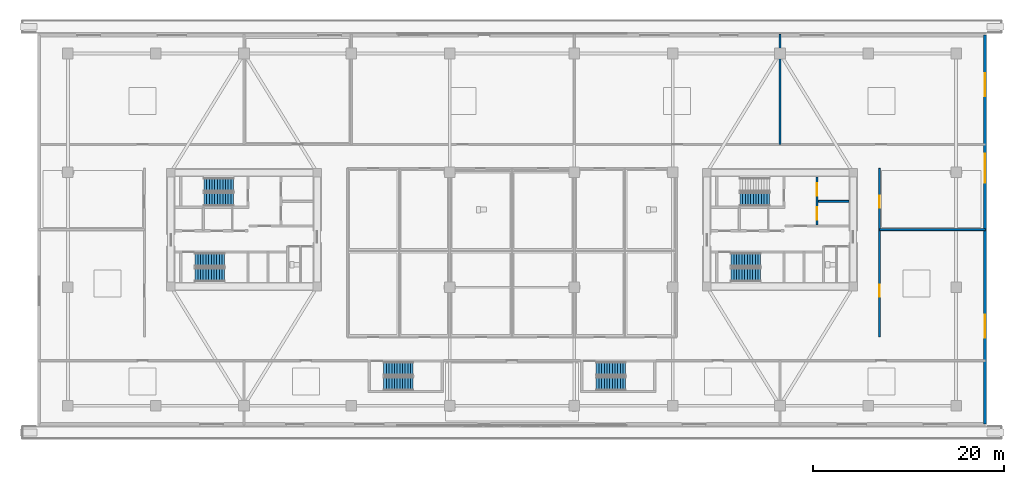
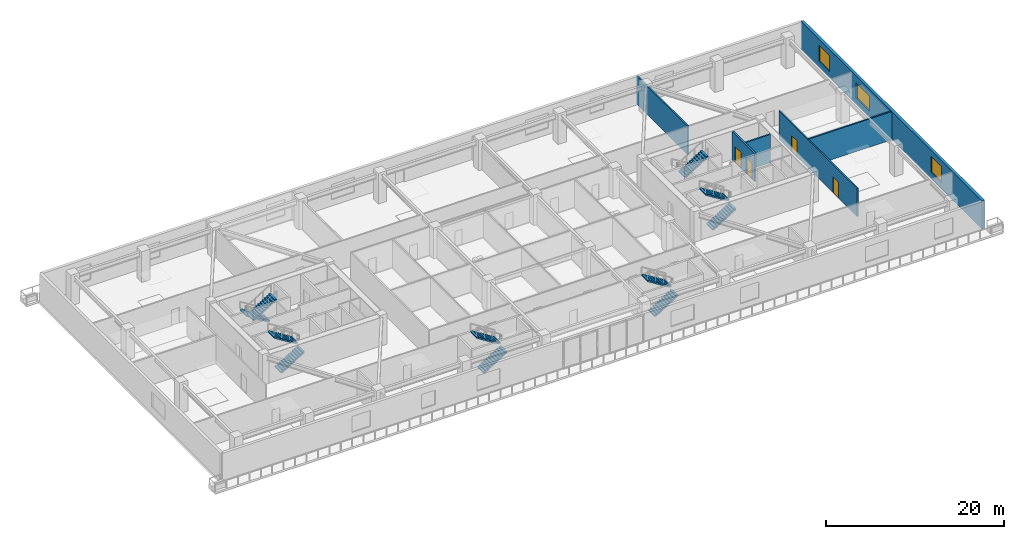
# One storey, part 11 of 22: 11 stair flights, 6 walls, 4 doors, 3 windows, 7 openings, 6 elements without a shape of their own.
"""IFC4 building model written with IfcOpenShell, lengths in metres."""

import ifcopenshell
import ifcopenshell.guid

model = None  # the IFC model being written
_history = None  # IfcOwnerHistory: only IFC2X3 demands one
_inside = {}  # id of a spatial element -> (the spatial element, [elements in it])
_under = {}  # id of a project, library or spatial element -> (it, [spatial elements below it])
_declared = {}  # id of a project -> (the project, [libraries it declares])
_typed = {}  # id of a type object -> (the type object, [elements of that type])
_made_of = {}  # id of a material, layer set ... -> (it, [elements and type objects made of it])


def new_model(schema):
    """Start an empty IFC model of exactly this schema.

    Asked for "IFC4X3", IfcOpenShell would pick the latest addendum, in which some entities
    have other attributes; the version numbers below select the first issue.
    IFC2X3 requires an IfcOwnerHistory on every rooted entity: one is made here for all.
    """
    global model, _history
    if schema == "IFC4X3":
        model = ifcopenshell.file(schema_version=(4, 3, 0, 0))
    else:
        model = ifcopenshell.file(schema=schema)
    _inside.clear()
    _under.clear()
    _declared.clear()
    _typed.clear()
    _made_of.clear()
    _history = None
    if model.schema == "IFC2X3":
        org = make("IfcOrganization", Name="unknown")
        user = make(
            "IfcPersonAndOrganization",
            ThePerson=make("IfcPerson", FamilyName="unknown"),
            TheOrganization=org,
        )
        app = make(
            "IfcApplication",
            ApplicationDeveloper=org,
            Version="unknown",
            ApplicationFullName="unknown",
            ApplicationIdentifier="unknown",
        )
        _history = make(
            "IfcOwnerHistory",
            OwningUser=user,
            OwningApplication=app,
            ChangeAction="ADDED",
            CreationDate=0,
        )
    return model


def make(cls, **values):
    """One entity of the class cls with the attributes given. An attribute that is None is left unset."""
    return model.create_entity(
        cls, **{name: value for name, value in values.items() if value is not None}
    )


def rooted(cls, **values):
    """An entity with a GlobalId (a new one), such as an element, a storey or a relation."""
    return make(cls, GlobalId=ifcopenshell.guid.new(), OwnerHistory=_history, **values)


def si_unit(unit_type, name, prefix=None):
    """IfcSIUnit, for example si_unit("LENGTHUNIT", "METRE", prefix="MILLI")."""
    return make("IfcSIUnit", UnitType=unit_type, Prefix=prefix, Name=name)


def assignment(units):
    """IfcUnitAssignment: the units of a project."""
    return None if units is None else make("IfcUnitAssignment", Units=units)


def point(xyz):
    """IfcCartesianPoint."""
    return None if xyz is None else make("IfcCartesianPoint", Coordinates=xyz)


def direction(xyz):
    """IfcDirection."""
    return None if xyz is None else make("IfcDirection", DirectionRatios=xyz)


def frame(location, z_axis=None, x_axis=None):
    """IfcAxis2Placement3D, a coordinate frame: its origin and axes. An axis left out is left unset."""
    return make(
        "IfcAxis2Placement3D",
        Location=point(location),
        Axis=direction(z_axis),
        RefDirection=direction(x_axis),
    )


def frame_2d(location, x_axis=None):
    """IfcAxis2Placement2D, a coordinate frame in the plane: its origin and x axis."""
    return make(
        "IfcAxis2Placement2D", Location=point(location), RefDirection=direction(x_axis)
    )


def origin():
    """The frame at (0, 0, 0) with its axes left unset."""
    return frame((0.0, 0.0, 0.0))


def place(relative_to, where):
    """IfcLocalPlacement: puts the frame where relative to a parent placement (None: the world)."""
    return make(
        "IfcLocalPlacement", PlacementRelTo=relative_to, RelativePlacement=where
    )


def context(
    kind, dimensions, precision=None, world=None, true_north=None, identifier=None
):
    """IfcGeometricRepresentationContext, for example the 3D "Model" context."""
    return make(
        "IfcGeometricRepresentationContext",
        ContextIdentifier=identifier,
        ContextType=kind,
        CoordinateSpaceDimension=dimensions,
        Precision=precision,
        WorldCoordinateSystem=world,
        TrueNorth=true_north,
    )


def subcontext(parent, identifier, kind, view, scale=None):
    """IfcGeometricRepresentationSubContext, for example "Body" below "Model"."""
    return make(
        "IfcGeometricRepresentationSubContext",
        ContextIdentifier=identifier,
        ContextType=kind,
        ParentContext=parent,
        TargetScale=scale,
        TargetView=view,
    )


def project(units=None, contexts=None):
    """IfcProject with its units and contexts."""
    return rooted(
        "IfcProject",
        Name="project",
        RepresentationContexts=contexts,
        UnitsInContext=assignment(units),
    )


def spatial(cls, under=None, at=None, **own):
    """A site, building, storey or space (cls), placed at a placement, below another one or the project."""
    s = rooted(cls, ObjectPlacement=at, **own)
    if under is not None:
        _under.setdefault(under.id(), (under, []))[1].append(s)
    return s


def polyline(points):
    """IfcPolyline through the points."""
    return make("IfcPolyline", Points=[point(p) for p in points])


def profile(cls, at=None, kind="AREA", **sizes):
    """A parametric profile (cls). Its sizes go by their IFC names, for example OverallWidth=200.0."""
    return make(cls, ProfileType=kind, Position=at, **sizes)


def rectangle(**sizes):
    """IfcRectangleProfileDef."""
    return profile("IfcRectangleProfileDef", **sizes)


def outline(outer, holes=None, kind="AREA"):
    """IfcArbitraryClosedProfileDef: a profile drawn as a closed curve; with holes, ...WithVoids."""
    if holes is None:
        return make("IfcArbitraryClosedProfileDef", ProfileType=kind, OuterCurve=outer)
    return make(
        "IfcArbitraryProfileDefWithVoids",
        ProfileType=kind,
        OuterCurve=outer,
        InnerCurves=holes,
    )


def extrude(swept, where, along, depth):
    """IfcExtrudedAreaSolid: the profile swept, set in the frame where, extruded along a direction by depth."""
    return make(
        "IfcExtrudedAreaSolid",
        SweptArea=swept,
        Position=where,
        ExtrudedDirection=direction(along),
        Depth=depth,
    )


def shape(context_of_items, identifier, shape_type, items):
    """IfcShapeRepresentation: the items that make up one representation, for example the "Body"."""
    return make(
        "IfcShapeRepresentation",
        ContextOfItems=context_of_items,
        RepresentationIdentifier=identifier,
        RepresentationType=shape_type,
        Items=items,
    )


def source(mapping_origin, context_of_items, identifier, shape_type, items):
    """IfcRepresentationMap: a shape defined once, which mapped items show again and again."""
    return make(
        "IfcRepresentationMap",
        MappingOrigin=mapping_origin,
        MappedRepresentation=shape(context_of_items, identifier, shape_type, items),
    )


def transform(
    local_origin,
    x_axis=None,
    y_axis=None,
    z_axis=None,
    scale=None,
    scale2=None,
    scale3=None,
    uniform=True,
):
    """IfcCartesianTransformationOperator3D, or its non-uniform kind. x_axis, y_axis, z_axis: its Axis1, 2, 3."""
    if uniform:
        return make(
            "IfcCartesianTransformationOperator3D",
            Axis1=direction(x_axis),
            Axis2=direction(y_axis),
            LocalOrigin=point(local_origin),
            Scale=scale,
            Axis3=direction(z_axis),
        )
    return make(
        "IfcCartesianTransformationOperator3DnonUniform",
        Axis1=direction(x_axis),
        Axis2=direction(y_axis),
        LocalOrigin=point(local_origin),
        Scale=scale,
        Axis3=direction(z_axis),
        Scale2=scale2,
        Scale3=scale3,
    )


def mapped(mapping_source, mapping_target):
    """IfcMappedItem: shows the shape of a source again, moved by a transform."""
    return make(
        "IfcMappedItem", MappingSource=mapping_source, MappingTarget=mapping_target
    )


def material(Name=None, Category=None):
    """IfcMaterial."""
    return make("IfcMaterial", Name=Name, Category=Category)


def layer(
    of_material, thickness, ventilated=None, Name=None, Category=None, Priority=None
):
    """IfcMaterialLayer: one layer of a wall or slab, of a material (None: an air gap)."""
    return make(
        "IfcMaterialLayer",
        Material=of_material,
        LayerThickness=thickness,
        IsVentilated=ventilated,
        Name=Name,
        Category=Category,
        Priority=Priority,
    )


def layer_set(layers, Name=None):
    """IfcMaterialLayerSet."""
    return make("IfcMaterialLayerSet", MaterialLayers=layers, LayerSetName=Name)


def made_of(thing, what):
    """Note that an element or type object is made of a material, layer set ...; save() writes the relation."""
    if what is not None:
        _made_of.setdefault(what.id(), (what, []))[1].append(thing)
    return thing


def type_object(cls, material=None, **own):
    """A type object (cls), such as IfcWallType, which elements share."""
    return made_of(rooted(cls, **own), material)


def type_shapes(of_type, sources):
    """Give a type object the sources (RepresentationMaps) that its elements show as mapped items."""
    of_type.RepresentationMaps = sources


def element(
    cls,
    number,
    at=None,
    inside=None,
    cuts=None,
    type_object=None,
    material=None,
    context=None,
    identifier="Body",
    shape_type=None,
    held_by="IfcProductDefinitionShape",
    body=None,
    shapes=None,
    **own,
):
    """One element of the class cls, such as IfcWall. Its Tag is "e" and its number.

    at: its placement. inside: the storey or other place that contains it. cuts: it is an
    opening in that element (IfcRelVoidsElement). A single representation is given by context,
    identifier, shape_type and body (its items); several are given by shapes. held_by: the class
    of the entity that holds the representations. save() writes the other relations.
    """
    e = rooted(cls, Tag="e%d" % number, ObjectPlacement=at, **own)
    if body is not None:
        shapes = [shape(context, identifier, shape_type, body)]
    if shapes is not None:
        e.Representation = make(held_by, Representations=shapes)
    if inside is not None:
        _inside.setdefault(inside.id(), (inside, []))[1].append(e)
    if cuts is not None:
        rooted(
            "IfcRelVoidsElement", RelatingBuildingElement=cuts, RelatedOpeningElement=e
        )
    if type_object is not None:
        _typed.setdefault(type_object.id(), (type_object, []))[1].append(e)
    return made_of(e, material)


def fill(opening, filler):
    """IfcRelFillsElement: the door or window that sits in an opening."""
    return rooted(
        "IfcRelFillsElement",
        RelatingOpeningElement=opening,
        RelatedBuildingElement=filler,
    )


def aggregate(whole, parts):
    """IfcRelAggregates: a whole, such as a stair, and the parts it consists of."""
    return rooted("IfcRelAggregates", RelatingObject=whole, RelatedObjects=parts)


def save(model, path):
    """Write the relations noted so far, then the file.

    IfcRelAggregates (storeys below a building ...), IfcRelContainedInSpatialStructure (elements
    in a storey), IfcRelDefinesByType, IfcRelAssociatesMaterial and IfcRelDeclares: one each for
    every whole, place, type object, material and project.
    """
    for whole, parts in _under.values():
        aggregate(whole, parts)
    for where, things in _inside.values():
        rooted(
            "IfcRelContainedInSpatialStructure",
            RelatedElements=things,
            RelatingStructure=where,
        )
    for kind, things in _typed.values():
        rooted("IfcRelDefinesByType", RelatedObjects=things, RelatingType=kind)
    for what, things in _made_of.values():
        rooted("IfcRelAssociatesMaterial", RelatedObjects=things, RelatingMaterial=what)
    for by, libraries in _declared.values():
        rooted("IfcRelDeclares", RelatingContext=by, RelatedDefinitions=libraries)
    model.write(path)


model = new_model("IFC4")

# Units and contexts
model_context = context("Model", 3, precision=1e-05, world=origin(), true_north=direction((0.0, 1.0)))
body_context = subcontext(model_context, "Body", "Model", "MODEL_VIEW")
ifc_project = project(units=[si_unit("LENGTHUNIT", "METRE"), si_unit("AREAUNIT", "SQUARE_METRE"), si_unit("VOLUMEUNIT", "CUBIC_METRE"), si_unit("PLANEANGLEUNIT", "RADIAN"), si_unit("MASSUNIT", "GRAM", prefix="KILO")], contexts=[model_context])

# Site, building, storey
site_placement = place(None, origin())
site = spatial("IfcSite", under=ifc_project, at=site_placement, CompositionType="ELEMENT")
building_placement = place(site_placement, origin())
building = spatial("IfcBuilding", under=site, at=building_placement, Name="Norrkilde Senior Care Towers", CompositionType="ELEMENT")
storey_placement = place(building_placement, frame((0.0, 0.0, 12.60009765625)))
storey = spatial("IfcBuildingStorey", under=building, at=storey_placement, Name="L03", CompositionType="ELEMENT", Elevation=12.60009765625)

# Wall, openings, windows
ifc_material_1 = material(Name="Precast concrete C45/55", Category="concrete")
ifc_layer_1 = layer(ifc_material_1, 0.360107421875)
ifc_layer_set_1 = layer_set([ifc_layer_1], Name="Precast concrete C45/55")
wall_type_1 = type_object("IfcWallType", Name="Podium Facade Wall 360", PredefinedType="SOLIDWALL", material=ifc_layer_set_1)
shared_shape_1 = source(origin(), body_context, "Body", "SweptSolid", [
    extrude(rectangle(XDim=40.64013671875, YDim=0.360107421875, at=frame_2d((20.320068359375, 0.0))), origin(), (0.0, 0.0, 1.0), 3.8798828125),
])
type_shapes(wall_type_1, [shared_shape_1])
wall_1_placement = place(storey_placement, frame((49.419921875, 20.320068359375, 0.0), z_axis=(0.0, 0.0, 1.0), x_axis=(0.0, -1.0, 0.0)))
wall_1 = element("IfcWall", 1, at=wall_1_placement, inside=storey, type_object=wall_type_1, Name="L03 Podium E Facade Wall", PredefinedType="SOLIDWALL", context=body_context, shape_type="MappedRepresentation", body=[
    mapped(shared_shape_1, transform((0.0, 0.0, 0.0), x_axis=(1.0, 0.0, 0.0), y_axis=(0.0, 1.0, 0.0), z_axis=(0.0, 0.0, 1.0), scale=1.0)),
])
opening_1_placement = place(wall_1_placement, frame((4.0, 0.0, 0.85009765625)))
opening_1 = element("IfcOpeningElement", 2, at=opening_1_placement, cuts=wall_1, Name="Opening WN-01", PredefinedType="OPENING", context=body_context, shape_type="SweptSolid", body=[
    extrude(rectangle(XDim=2.39990234375, YDim=2.199951171875, at=frame_2d((1.199951171875, 1.10009765625))), frame((0.0, 0.18994140625, 0.0), z_axis=(0.0, -1.0, 0.0), x_axis=(1.0, 0.0, 0.0)), (0.0, 0.0, 1.0), 0.380126953125),
])
opening_2_placement = place(wall_1_placement, frame((12.39990234375, 0.0, 0.85009765625)))
opening_2 = element("IfcOpeningElement", 3, at=opening_2_placement, cuts=wall_1, Name="Opening WN-02", PredefinedType="OPENING", context=body_context, shape_type="SweptSolid", body=[
    extrude(rectangle(XDim=3.0, YDim=2.10009765625, at=frame_2d((1.5, 1.050048828125))), frame((0.0, 0.18994140625, 0.0), z_axis=(0.0, -1.0, 0.0), x_axis=(1.0, 0.0, 0.0)), (0.0, 0.0, 1.0), 0.380126953125),
])
opening_3_placement = place(wall_1_placement, frame((29.199951171875, 0.0, 0.85009765625)))
opening_3 = element("IfcOpeningElement", 4, at=opening_3_placement, cuts=wall_1, Name="Opening WN-01", PredefinedType="OPENING", context=body_context, shape_type="SweptSolid", body=[
    extrude(rectangle(XDim=2.39990234375, YDim=2.199951171875, at=frame_2d((1.199951171875, 1.10009765625))), frame((0.0, 0.18994140625, 0.0), z_axis=(0.0, -1.0, 0.0), x_axis=(1.0, 0.0, 0.0)), (0.0, 0.0, 1.0), 0.380126953125),
])
ifc_material_2 = material(Name="Triple Low-E Insulated Glazing", Category="glass")
window_type_1 = type_object("IfcWindowType", Name="Podium Clinic Triple Window 2400x2200", PartitioningType="SINGLE_PANEL", PredefinedType="WINDOW", material=ifc_material_2)
shared_shape_2 = source(origin(), body_context, "Body", "SweptSolid", [
    extrude(rectangle(XDim=2.39990234375, YDim=2.199951171875, at=frame_2d((1.199951171875, 1.10009765625))), frame((0.0, 0.030029296875, 0.0), z_axis=(0.0, -1.0, 0.0), x_axis=(1.0, 0.0, 0.0)), (0.0, 0.0, 1.0), 0.06005859375),
])
type_shapes(window_type_1, [shared_shape_2])
window_1_placement = place(opening_1_placement, origin())
window_1 = element("IfcWindow", 5, at=window_1_placement, inside=storey, type_object=window_type_1, Name="L03 E Window 01", OverallHeight=2.199951171875, OverallWidth=2.39990234375, PartitioningType="SINGLE_PANEL", PredefinedType="WINDOW", context=body_context, shape_type="MappedRepresentation", body=[
    mapped(shared_shape_2, transform((0.0, 0.0, 0.0), x_axis=(1.0, 0.0, 0.0), y_axis=(0.0, 1.0, 0.0), z_axis=(0.0, 0.0, 1.0), scale=1.0)),
])
fill(opening_1, window_1)
window_2_placement = place(opening_3_placement, origin())
window_2 = element("IfcWindow", 6, at=window_2_placement, inside=storey, type_object=window_type_1, Name="L03 E Window 04", OverallHeight=2.199951171875, OverallWidth=2.39990234375, PartitioningType="SINGLE_PANEL", PredefinedType="WINDOW", context=body_context, shape_type="MappedRepresentation", body=[
    mapped(shared_shape_2, transform((0.0, 0.0, 0.0), x_axis=(1.0, 0.0, 0.0), y_axis=(0.0, 1.0, 0.0), z_axis=(0.0, 0.0, 1.0), scale=1.0)),
])
fill(opening_3, window_2)
window_type_2 = type_object("IfcWindowType", Name="Podium Rehab Ribbon Window 3000x2100", PartitioningType="SINGLE_PANEL", PredefinedType="WINDOW", material=ifc_material_2)
shared_shape_3 = source(origin(), body_context, "Body", "SweptSolid", [
    extrude(rectangle(XDim=3.0, YDim=2.10009765625, at=frame_2d((1.5, 1.050048828125))), frame((0.0, 0.030029296875, 0.0), z_axis=(0.0, -1.0, 0.0), x_axis=(1.0, 0.0, 0.0)), (0.0, 0.0, 1.0), 0.06005859375),
])
type_shapes(window_type_2, [shared_shape_3])
window_3_placement = place(opening_2_placement, origin())
window_3 = element("IfcWindow", 7, at=window_3_placement, inside=storey, type_object=window_type_2, Name="L03 E Window 02", OverallHeight=2.10009765625, OverallWidth=3.0, PartitioningType="SINGLE_PANEL", PredefinedType="WINDOW", context=body_context, shape_type="MappedRepresentation", body=[
    mapped(shared_shape_3, transform((0.0, 0.0, 0.0), x_axis=(1.0, 0.0, 0.0), y_axis=(0.0, 1.0, 0.0), z_axis=(0.0, 0.0, 1.0), scale=1.0)),
])
fill(opening_2, window_3)

# Wall, openings, doors
ifc_material_3 = material(Name="Concrete C45/55", Category="concrete")
ifc_layer_2 = layer(ifc_material_3, 0.239990234375)
ifc_layer_set_2 = layer_set([ifc_layer_2], Name="Concrete C45/55")
wall_type_2 = type_object("IfcWallType", Name="Lift and Plant Rated Enclosure Partition 240", PredefinedType="PARTITIONING", material=ifc_layer_set_2)
shared_shape_4 = source(origin(), body_context, "Body", "SweptSolid", [
    extrude(rectangle(XDim=5.0, YDim=0.239990234375, at=frame_2d((2.5, 0.0))), origin(), (0.0, 0.0, 1.0), 3.864990234375),
])
type_shapes(wall_type_2, [shared_shape_4])
wall_2_placement = place(storey_placement, frame((31.860107421875, 0.5, 0.0), z_axis=(0.0, 0.0, 1.0), x_axis=(0.0, 1.0, 0.0)))
wall_2 = element("IfcWall", 8, at=wall_2_placement, inside=storey, type_object=wall_type_2, Name="WL-INT-L03-E-FFLE", PredefinedType="PARTITIONING", context=body_context, shape_type="MappedRepresentation", body=[
    mapped(shared_shape_4, transform((0.0, 0.0, 0.0), x_axis=(1.0, 0.0, 0.0), y_axis=(0.0, 1.0, 0.0), z_axis=(0.0, 0.0, 1.0), scale=1.0)),
])
opening_4_placement = place(wall_2_placement, frame((3.050048828125, 0.0, 0.0)))
opening_4 = element("IfcOpeningElement", 9, at=opening_4_placement, cuts=wall_2, Name="Opening LD-02", PredefinedType="OPENING", context=body_context, shape_type="SweptSolid", body=[
    extrude(rectangle(XDim=1.300048828125, YDim=2.199951171875, at=frame_2d((0.64990234375, 1.10009765625))), frame((0.0, 0.1298828125, 0.0), z_axis=(0.0, -1.0, 0.0), x_axis=(1.0, 0.0, 0.0)), (0.0, 0.0, 1.0), 0.260009765625),
])
opening_5_placement = place(wall_2_placement, frame((0.550048828125, 0.0, 0.0)))
opening_5 = element("IfcOpeningElement", 10, at=opening_5_placement, cuts=wall_2, Name="Opening LD-02", PredefinedType="OPENING", context=body_context, shape_type="SweptSolid", body=[
    extrude(rectangle(XDim=1.300048828125, YDim=2.199951171875, at=frame_2d((0.64990234375, 1.10009765625))), frame((0.0, 0.1298828125, 0.0), z_axis=(0.0, -1.0, 0.0), x_axis=(1.0, 0.0, 0.0)), (0.0, 0.0, 1.0), 0.260009765625),
])
ifc_material_4 = material(Name="Stainless Steel", Category="steel")
door_type_1 = type_object("IfcDoorType", Name="Stretcher and FFL Landing Sliding Door 1300x2200", OperationType="NOTDEFINED", PredefinedType="DOOR", material=ifc_material_4)
shared_shape_5 = source(origin(), body_context, "Body", "SweptSolid", [
    extrude(rectangle(XDim=1.300048828125, YDim=2.199951171875, at=frame_2d((0.64990234375, 1.10009765625))), frame((0.0, 0.02490234375, 0.0), z_axis=(0.0, -1.0, 0.0), x_axis=(1.0, 0.0, 0.0)), (0.0, 0.0, 1.0), 0.050048828125),
])
type_shapes(door_type_1, [shared_shape_5])
door_1_placement = place(opening_4_placement, origin())
door_1 = element("IfcDoor", 11, at=door_1_placement, inside=storey, type_object=door_type_1, Name="L03 Firefighting Lift E1 Landing Door", OperationType="SLIDING_TO_LEFT", OverallHeight=2.199951171875, OverallWidth=1.300048828125, PredefinedType="DOOR", context=body_context, shape_type="MappedRepresentation", body=[
    mapped(shared_shape_5, transform((0.0, 0.0, 0.0), x_axis=(1.0, 0.0, 0.0), y_axis=(0.0, 1.0, 0.0), z_axis=(0.0, 0.0, 1.0), scale=1.0)),
])
fill(opening_4, door_1)
door_2_placement = place(opening_5_placement, origin())
door_2 = element("IfcDoor", 12, at=door_2_placement, inside=storey, type_object=door_type_1, Name="L03 Stretcher Lift E1 Landing Door", OperationType="SLIDING_TO_RIGHT", OverallHeight=2.199951171875, OverallWidth=1.300048828125, PredefinedType="DOOR", context=body_context, shape_type="MappedRepresentation", body=[
    mapped(shared_shape_5, transform((0.0, 0.0, 0.0), x_axis=(1.0, 0.0, 0.0), y_axis=(0.0, 1.0, 0.0), z_axis=(0.0, 0.0, 1.0), scale=1.0)),
])
fill(opening_5, door_2)

# Wall
ifc_layer_3 = layer(ifc_material_3, 0.199951171875)
ifc_layer_set_3 = layer_set([ifc_layer_3], Name="Concrete C45/55")
wall_type_3 = type_object("IfcWallType", Name="Shaft Division and Plant Partition 200", PredefinedType="PARTITIONING", material=ifc_layer_set_3)
shared_shape_6 = source(origin(), body_context, "Body", "SweptSolid", [
    extrude(rectangle(XDim=3.199951171875, YDim=0.199951171875, at=frame_2d((1.60009765625, 0.0))), origin(), (0.0, 0.0, 1.0), 3.864990234375),
])
type_shapes(wall_type_3, [shared_shape_6])
wall_3_placement = place(storey_placement, frame((32.0, 2.949951171875, 0.0), z_axis=(0.0, 0.0, 1.0), x_axis=(1.0, 0.0, 0.0)))
element("IfcWall", 13, at=wall_3_placement, inside=storey, type_object=wall_type_3, Name="WL-INT-L03-E-FFLDIV", PredefinedType="PARTITIONING", context=body_context, shape_type="MappedRepresentation", body=[
    mapped(shared_shape_6, transform((0.0, 0.0, 0.0), x_axis=(1.0, 0.0, 0.0), y_axis=(0.0, 1.0, 0.0), z_axis=(0.0, 0.0, 1.0), scale=1.0)),
])

# Wall, openings, doors
ifc_material_5 = material(Name="Gypsum Acoustic Board")
ifc_layer_4 = layer(ifc_material_5, 0.1650390625)
ifc_layer_set_4 = layer_set([ifc_layer_4], Name="Gypsum Acoustic Board")
wall_type_4 = type_object("IfcWallType", Name="Corridor Rated Partition 165", PredefinedType="PARTITIONING", material=ifc_layer_set_4)
shared_shape_7 = source(origin(), body_context, "Body", "SweptSolid", [
    extrude(rectangle(XDim=17.599853515625, YDim=0.1650390625, at=frame_2d((8.7998046875, 0.0))), origin(), (0.0, 0.0, 1.0), 3.864990234375),
])
type_shapes(wall_type_4, [shared_shape_7])
wall_4_placement = place(storey_placement, frame((38.39990234375, -11.199951171875, 0.0), z_axis=(0.0, 0.0, 1.0), x_axis=(0.0, 1.0, 0.0)))
wall_4 = element("IfcWall", 14, at=wall_4_placement, inside=storey, type_object=wall_type_4, Name="WL-INT-L03-POD-OE", PredefinedType="PARTITIONING", context=body_context, shape_type="MappedRepresentation", body=[
    mapped(shared_shape_7, transform((0.0, 0.0, 0.0), x_axis=(1.0, 0.0, 0.0), y_axis=(0.0, 1.0, 0.0), z_axis=(0.0, 0.0, 1.0), scale=1.0)),
])
opening_6_placement = place(wall_4_placement, frame((4.199951171875, 0.0, 0.0)))
opening_6 = element("IfcOpeningElement", 15, at=opening_6_placement, cuts=wall_4, Name="Opening D-05", PredefinedType="OPENING", context=body_context, shape_type="SweptSolid", body=[
    extrude(rectangle(XDim=1.25, YDim=2.199951171875, at=frame_2d((0.625, 1.10009765625))), frame((0.0, 0.092529296875, 0.0), z_axis=(0.0, -1.0, 0.0), x_axis=(1.0, 0.0, 0.0)), (0.0, 0.0, 1.0), 0.18505859375),
])
opening_7_placement = place(wall_4_placement, frame((13.5, 0.0, 0.0)))
opening_7 = element("IfcOpeningElement", 16, at=opening_7_placement, cuts=wall_4, Name="Opening D-05", PredefinedType="OPENING", context=body_context, shape_type="SweptSolid", body=[
    extrude(rectangle(XDim=1.25, YDim=2.199951171875, at=frame_2d((0.625, 1.10009765625))), frame((0.0, 0.092529296875, 0.0), z_axis=(0.0, -1.0, 0.0), x_axis=(1.0, 0.0, 0.0)), (0.0, 0.0, 1.0), 0.18505859375),
])
ifc_material_6 = material(Name="Nordic Ash Timber", Category="wood")
door_type_2 = type_object("IfcDoorType", Name="Care Bedroom Bariatric Door 1250x2200", OperationType="NOTDEFINED", PredefinedType="DOOR", material=ifc_material_6)
shared_shape_8 = source(origin(), body_context, "Body", "SweptSolid", [
    extrude(rectangle(XDim=1.25, YDim=2.199951171875, at=frame_2d((0.625, 1.10009765625))), frame((0.0, 0.02490234375, 0.0), z_axis=(0.0, -1.0, 0.0), x_axis=(1.0, 0.0, 0.0)), (0.0, 0.0, 1.0), 0.050048828125),
])
type_shapes(door_type_2, [shared_shape_8])
door_3_placement = place(opening_6_placement, origin())
door_3 = element("IfcDoor", 17, at=door_3_placement, inside=storey, type_object=door_type_2, Name="L03 Rehab Ward OE1 Door", OperationType="SINGLE_SWING_LEFT", OverallHeight=2.199951171875, OverallWidth=1.25, PredefinedType="DOOR", context=body_context, shape_type="MappedRepresentation", body=[
    mapped(shared_shape_8, transform((0.0, 0.0, 0.0), x_axis=(1.0, 0.0, 0.0), y_axis=(0.0, 1.0, 0.0), z_axis=(0.0, 0.0, 1.0), scale=1.0)),
])
fill(opening_6, door_3)
door_4_placement = place(opening_7_placement, origin())
door_4 = element("IfcDoor", 18, at=door_4_placement, inside=storey, type_object=door_type_2, Name="L03 Wellness Hall OE2 Door", OperationType="SINGLE_SWING_RIGHT", OverallHeight=2.199951171875, OverallWidth=1.25, PredefinedType="DOOR", context=body_context, shape_type="MappedRepresentation", body=[
    mapped(shared_shape_8, transform((0.0, 0.0, 0.0), x_axis=(1.0, 0.0, 0.0), y_axis=(0.0, 1.0, 0.0), z_axis=(0.0, 0.0, 1.0), scale=1.0)),
])
fill(opening_7, door_4)

# Walls
ifc_layer_5 = layer(ifc_material_5, 0.18994140625)
ifc_layer_set_5 = layer_set([ifc_layer_5], Name="Gypsum Acoustic Board")
wall_type_5 = type_object("IfcWallType", Name="Unit Demising Acoustic Wall 190", PredefinedType="PARTITIONING", material=ifc_layer_set_5)
shared_shape_9 = source(origin(), body_context, "Body", "SweptSolid", [
    extrude(rectangle(XDim=11.050048828125, YDim=0.18994140625, at=frame_2d((5.52490234375, 0.0))), origin(), (0.0, 0.0, 1.0), 3.864990234375),
])
wall_5_placement = place(storey_placement, frame((38.39990234375, 0.0, 0.0), z_axis=(0.0, 0.0, 1.0), x_axis=(1.0, 0.0, 0.0)))
element("IfcWall", 19, at=wall_5_placement, inside=storey, type_object=wall_type_5, Name="WL-INT-L03-POD-OEH", PredefinedType="PARTITIONING", context=body_context, shape_type="MappedRepresentation", body=[
    mapped(shared_shape_9, transform((0.0, 0.0, 0.0), x_axis=(1.0, 0.0, 0.0), y_axis=(0.0, 1.0, 0.0), z_axis=(0.0, 0.0, 1.0), scale=1.0)),
])
shared_shape_10 = source(origin(), body_context, "Body", "SweptSolid", [
    extrude(rectangle(XDim=11.5, YDim=0.18994140625, at=frame_2d((5.75, 0.0))), origin(), (0.0, 0.0, 1.0), 3.864990234375),
])
type_shapes(wall_type_5, [shared_shape_9, shared_shape_10])
wall_6_placement = place(storey_placement, frame((28.0, 8.89990234375, 0.0), z_axis=(0.0, 0.0, 1.0), x_axis=(0.0, 1.0, 0.0)))
element("IfcWall", 20, at=wall_6_placement, inside=storey, type_object=wall_type_5, Name="WL-INT-L03-POD-NPV4", PredefinedType="PARTITIONING", context=body_context, shape_type="MappedRepresentation", body=[
    mapped(shared_shape_10, transform((0.0, 0.0, 0.0), x_axis=(1.0, 0.0, 0.0), y_axis=(0.0, 1.0, 0.0), z_axis=(0.0, 0.0, 1.0), scale=1.0)),
])

# Stair, stair flights
stair_type = type_object("IfcStairType", Name="Core Protected Dogleg Stair Podium 4200", PredefinedType="HALF_TURN_STAIR", material=ifc_material_3)
stair_1_placement = place(storey_placement, origin())
stair_1 = element("IfcStair", 21, at=stair_1_placement, inside=storey, type_object=stair_type, Name="L03 Protected Core Stair W1", PredefinedType="HALF_TURN_STAIR")
stair_flight_type = type_object("IfcStairFlightType", Name="Core Protected Dogleg Stair Podium 4200 Flight", PredefinedType="STRAIGHT", material=ifc_material_3)
stair_flight_1_placement = place(storey_placement, frame((-29.10009765625, 4.699951171875, 0.0), z_axis=(0.0, 0.0, 1.0), x_axis=(-1.0, 0.0, 0.0)))
stair_flight_1 = element("IfcStairFlight", 22, at=stair_flight_1_placement, type_object=stair_flight_type, Name="ST-W1 flight 1", NumberOfRisers=12, NumberOfTreads=11, PredefinedType="STRAIGHT", RiserHeight=0.175, TreadLength=0.28, context=body_context, shape_type="SweptSolid", body=[
    extrude(outline(polyline([(0.0, 0.0), (0.0, 0.175048828125), (0.280029296875, 0.175048828125), (0.280029296875, 0.35009765625), (0.56005859375, 0.35009765625), (0.56005859375, 0.52490234375), (0.840087890625, 0.52490234375), (0.840087890625, 0.699951171875), (1.1201171875, 0.699951171875), (1.1201171875, 0.875), (1.39990234375, 0.875), (1.39990234375, 1.050048828125), (1.679931640625, 1.050048828125), (1.679931640625, 1.22509765625), (1.9599609375, 1.22509765625), (1.9599609375, 1.39990234375), (2.239990234375, 1.39990234375), (2.239990234375, 1.574951171875), (2.52001953125, 1.574951171875), (2.52001953125, 1.75), (2.800048828125, 1.75), (2.800048828125, 1.925048828125), (3.080078125, 1.925048828125), (3.080078125, 2.10009765625), (3.080078125, 1.748291015625), (0.28271484375, 0.0), (0.0, 0.0)])), frame((0.0, 0.699951171875, 0.0), z_axis=(0.0, -1.0, 0.0), x_axis=(1.0, 0.0, 0.0)), (0.0, 0.0, 1.0), 1.39990234375),
])
stair_flight_2_placement = place(storey_placement, frame((-32.179931640625, 3.14990234375, 2.099853515625), z_axis=(0.0, 0.0, 1.0), x_axis=(1.0, 0.0, 0.0)))
stair_flight_2 = element("IfcStairFlight", 23, at=stair_flight_2_placement, type_object=stair_flight_type, Name="ST-W1 flight 2", NumberOfRisers=12, NumberOfTreads=11, PredefinedType="STRAIGHT", RiserHeight=0.175, TreadLength=0.28, context=body_context, shape_type="SweptSolid", body=[
    extrude(outline(polyline([(0.0, 0.0), (0.0, 0.175048828125), (0.280029296875, 0.175048828125), (0.280029296875, 0.35009765625), (0.56005859375, 0.35009765625), (0.56005859375, 0.52490234375), (0.840087890625, 0.52490234375), (0.840087890625, 0.699951171875), (1.1201171875, 0.699951171875), (1.1201171875, 0.875), (1.39990234375, 0.875), (1.39990234375, 1.050048828125), (1.679931640625, 1.050048828125), (1.679931640625, 1.22509765625), (1.9599609375, 1.22509765625), (1.9599609375, 1.39990234375), (2.239990234375, 1.39990234375), (2.239990234375, 1.574951171875), (2.52001953125, 1.574951171875), (2.52001953125, 1.75), (2.800048828125, 1.75), (2.800048828125, 1.925048828125), (3.080078125, 1.925048828125), (3.080078125, 2.10009765625), (3.080078125, 1.748291015625), (0.28271484375, 0.0), (0.0, 0.0)])), frame((0.0, 0.699951171875, 0.0), z_axis=(0.0, -1.0, 0.0), x_axis=(1.0, 0.0, 0.0)), (0.0, 0.0, 1.0), 1.39990234375),
])
aggregate(stair_1, [stair_flight_1, stair_flight_2])

stair_2_placement = place(storey_placement, origin())
stair_2 = element("IfcStair", 24, at=stair_2_placement, inside=storey, type_object=stair_type, Name="L03 Protected Core Stair W2", PredefinedType="HALF_TURN_STAIR")
stair_flight_3_placement = place(storey_placement, frame((-33.10009765625, -4.699951171875, 0.0), z_axis=(0.0, 0.0, 1.0), x_axis=(1.0, 0.0, 0.0)))
stair_flight_3 = element("IfcStairFlight", 25, at=stair_flight_3_placement, type_object=stair_flight_type, Name="ST-W2 flight 1", NumberOfRisers=12, NumberOfTreads=11, PredefinedType="STRAIGHT", RiserHeight=0.175, TreadLength=0.28, context=body_context, shape_type="SweptSolid", body=[
    extrude(outline(polyline([(0.0, 0.0), (0.0, 0.175048828125), (0.280029296875, 0.175048828125), (0.280029296875, 0.35009765625), (0.56005859375, 0.35009765625), (0.56005859375, 0.52490234375), (0.840087890625, 0.52490234375), (0.840087890625, 0.699951171875), (1.1201171875, 0.699951171875), (1.1201171875, 0.875), (1.39990234375, 0.875), (1.39990234375, 1.050048828125), (1.679931640625, 1.050048828125), (1.679931640625, 1.22509765625), (1.9599609375, 1.22509765625), (1.9599609375, 1.39990234375), (2.239990234375, 1.39990234375), (2.239990234375, 1.574951171875), (2.52001953125, 1.574951171875), (2.52001953125, 1.75), (2.800048828125, 1.75), (2.800048828125, 1.925048828125), (3.080078125, 1.925048828125), (3.080078125, 2.10009765625), (3.080078125, 1.748291015625), (0.28271484375, 0.0), (0.0, 0.0)])), frame((0.0, 0.699951171875, 0.0), z_axis=(0.0, -1.0, 0.0), x_axis=(1.0, 0.0, 0.0)), (0.0, 0.0, 1.0), 1.39990234375),
])
stair_flight_4_placement = place(storey_placement, frame((-30.02001953125, -3.14990234375, 2.099853515625), z_axis=(0.0, 0.0, 1.0), x_axis=(-1.0, 0.0, 0.0)))
stair_flight_4 = element("IfcStairFlight", 26, at=stair_flight_4_placement, type_object=stair_flight_type, Name="ST-W2 flight 2", NumberOfRisers=12, NumberOfTreads=11, PredefinedType="STRAIGHT", RiserHeight=0.175, TreadLength=0.28, context=body_context, shape_type="SweptSolid", body=[
    extrude(outline(polyline([(0.0, 0.0), (0.0, 0.175048828125), (0.280029296875, 0.175048828125), (0.280029296875, 0.35009765625), (0.56005859375, 0.35009765625), (0.56005859375, 0.52490234375), (0.840087890625, 0.52490234375), (0.840087890625, 0.699951171875), (1.1201171875, 0.699951171875), (1.1201171875, 0.875), (1.39990234375, 0.875), (1.39990234375, 1.050048828125), (1.679931640625, 1.050048828125), (1.679931640625, 1.22509765625), (1.9599609375, 1.22509765625), (1.9599609375, 1.39990234375), (2.239990234375, 1.39990234375), (2.239990234375, 1.574951171875), (2.52001953125, 1.574951171875), (2.52001953125, 1.75), (2.800048828125, 1.75), (2.800048828125, 1.925048828125), (3.080078125, 1.925048828125), (3.080078125, 2.10009765625), (3.080078125, 1.748291015625), (0.28271484375, 0.0), (0.0, 0.0)])), frame((0.0, 0.699951171875, 0.0), z_axis=(0.0, -1.0, 0.0), x_axis=(1.0, 0.0, 0.0)), (0.0, 0.0, 1.0), 1.39990234375),
])
aggregate(stair_2, [stair_flight_3, stair_flight_4])

# Stair, stair flight
stair_3_placement = place(storey_placement, origin())
stair_3 = element("IfcStair", 27, at=stair_3_placement, inside=storey, type_object=stair_type, Name="L03 Protected Core Stair E1", PredefinedType="HALF_TURN_STAIR")
stair_flight_5_placement = place(storey_placement, frame((23.820068359375, 3.14990234375, 2.099853515625), z_axis=(0.0, 0.0, 1.0), x_axis=(1.0, 0.0, 0.0)))
stair_flight_5 = element("IfcStairFlight", 28, at=stair_flight_5_placement, type_object=stair_flight_type, Name="ST-E1 flight 2", NumberOfRisers=12, NumberOfTreads=11, PredefinedType="STRAIGHT", RiserHeight=0.175, TreadLength=0.28, context=body_context, shape_type="SweptSolid", body=[
    extrude(outline(polyline([(0.0, 0.0), (0.0, 0.175048828125), (0.280029296875, 0.175048828125), (0.280029296875, 0.35009765625), (0.56005859375, 0.35009765625), (0.56005859375, 0.52490234375), (0.840087890625, 0.52490234375), (0.840087890625, 0.699951171875), (1.1201171875, 0.699951171875), (1.1201171875, 0.875), (1.39990234375, 0.875), (1.39990234375, 1.050048828125), (1.679931640625, 1.050048828125), (1.679931640625, 1.22509765625), (1.9599609375, 1.22509765625), (1.9599609375, 1.39990234375), (2.239990234375, 1.39990234375), (2.239990234375, 1.574951171875), (2.52001953125, 1.574951171875), (2.52001953125, 1.75), (2.800048828125, 1.75), (2.800048828125, 1.925048828125), (3.080078125, 1.925048828125), (3.080078125, 2.10009765625), (3.080078125, 1.748291015625), (0.28271484375, 0.0), (0.0, 0.0)])), frame((0.0, 0.699951171875, 0.0), z_axis=(0.0, -1.0, 0.0), x_axis=(1.0, 0.0, 0.0)), (0.0, 0.0, 1.0), 1.39990234375),
])
aggregate(stair_3, [stair_flight_5])

# Stair, stair flights
stair_4_placement = place(storey_placement, origin())
stair_4 = element("IfcStair", 29, at=stair_4_placement, inside=storey, type_object=stair_type, Name="L03 Protected Core Stair E2", PredefinedType="HALF_TURN_STAIR")
stair_flight_6_placement = place(storey_placement, frame((22.89990234375, -4.699951171875, 0.0), z_axis=(0.0, 0.0, 1.0), x_axis=(1.0, 0.0, 0.0)))
stair_flight_6 = element("IfcStairFlight", 30, at=stair_flight_6_placement, type_object=stair_flight_type, Name="ST-E2 flight 1", NumberOfRisers=12, NumberOfTreads=11, PredefinedType="STRAIGHT", RiserHeight=0.175, TreadLength=0.28, context=body_context, shape_type="SweptSolid", body=[
    extrude(outline(polyline([(0.0, 0.0), (0.0, 0.175048828125), (0.280029296875, 0.175048828125), (0.280029296875, 0.35009765625), (0.56005859375, 0.35009765625), (0.56005859375, 0.52490234375), (0.840087890625, 0.52490234375), (0.840087890625, 0.699951171875), (1.1201171875, 0.699951171875), (1.1201171875, 0.875), (1.39990234375, 0.875), (1.39990234375, 1.050048828125), (1.679931640625, 1.050048828125), (1.679931640625, 1.22509765625), (1.9599609375, 1.22509765625), (1.9599609375, 1.39990234375), (2.239990234375, 1.39990234375), (2.239990234375, 1.574951171875), (2.52001953125, 1.574951171875), (2.52001953125, 1.75), (2.800048828125, 1.75), (2.800048828125, 1.925048828125), (3.080078125, 1.925048828125), (3.080078125, 2.10009765625), (3.080078125, 1.748291015625), (0.28271484375, 0.0), (0.0, 0.0)])), frame((0.0, 0.699951171875, 0.0), z_axis=(0.0, -1.0, 0.0), x_axis=(1.0, 0.0, 0.0)), (0.0, 0.0, 1.0), 1.39990234375),
])
stair_flight_7_placement = place(storey_placement, frame((25.97998046875, -3.14990234375, 2.099853515625), z_axis=(0.0, 0.0, 1.0), x_axis=(-1.0, 0.0, 0.0)))
stair_flight_7 = element("IfcStairFlight", 31, at=stair_flight_7_placement, type_object=stair_flight_type, Name="ST-E2 flight 2", NumberOfRisers=12, NumberOfTreads=11, PredefinedType="STRAIGHT", RiserHeight=0.175, TreadLength=0.28, context=body_context, shape_type="SweptSolid", body=[
    extrude(outline(polyline([(0.0, 0.0), (0.0, 0.175048828125), (0.280029296875, 0.175048828125), (0.280029296875, 0.35009765625), (0.56005859375, 0.35009765625), (0.56005859375, 0.52490234375), (0.840087890625, 0.52490234375), (0.840087890625, 0.699951171875), (1.1201171875, 0.699951171875), (1.1201171875, 0.875), (1.39990234375, 0.875), (1.39990234375, 1.050048828125), (1.679931640625, 1.050048828125), (1.679931640625, 1.22509765625), (1.9599609375, 1.22509765625), (1.9599609375, 1.39990234375), (2.239990234375, 1.39990234375), (2.239990234375, 1.574951171875), (2.52001953125, 1.574951171875), (2.52001953125, 1.75), (2.800048828125, 1.75), (2.800048828125, 1.925048828125), (3.080078125, 1.925048828125), (3.080078125, 2.10009765625), (3.080078125, 1.748291015625), (0.28271484375, 0.0), (0.0, 0.0)])), frame((0.0, 0.699951171875, 0.0), z_axis=(0.0, -1.0, 0.0), x_axis=(1.0, 0.0, 0.0)), (0.0, 0.0, 1.0), 1.39990234375),
])
aggregate(stair_4, [stair_flight_6, stair_flight_7])

stair_5_placement = place(storey_placement, origin())
stair_5 = element("IfcStair", 32, at=stair_5_placement, inside=storey, type_object=stair_type, Name="L03 Podium Clinic Exit Stair P1", PredefinedType="HALF_TURN_STAIR")
stair_flight_8_placement = place(storey_placement, frame((-13.39990234375, -16.10009765625, 0.0), z_axis=(0.0, 0.0, 1.0), x_axis=(1.0, 0.0, 0.0)))
stair_flight_8 = element("IfcStairFlight", 33, at=stair_flight_8_placement, type_object=stair_flight_type, Name="ST-P1 flight 1", NumberOfRisers=12, NumberOfTreads=11, PredefinedType="STRAIGHT", RiserHeight=0.175, TreadLength=0.28, context=body_context, shape_type="SweptSolid", body=[
    extrude(outline(polyline([(0.0, 0.0), (0.0, 0.175048828125), (0.280029296875, 0.175048828125), (0.280029296875, 0.35009765625), (0.56005859375, 0.35009765625), (0.56005859375, 0.52490234375), (0.840087890625, 0.52490234375), (0.840087890625, 0.699951171875), (1.1201171875, 0.699951171875), (1.1201171875, 0.875), (1.39990234375, 0.875), (1.39990234375, 1.050048828125), (1.679931640625, 1.050048828125), (1.679931640625, 1.22509765625), (1.9599609375, 1.22509765625), (1.9599609375, 1.39990234375), (2.239990234375, 1.39990234375), (2.239990234375, 1.574951171875), (2.52001953125, 1.574951171875), (2.52001953125, 1.75), (2.800048828125, 1.75), (2.800048828125, 1.925048828125), (3.080078125, 1.925048828125), (3.080078125, 2.10009765625), (3.080078125, 1.748291015625), (0.28271484375, 0.0), (0.0, 0.0)])), frame((0.0, 0.699951171875, 0.0), z_axis=(0.0, -1.0, 0.0), x_axis=(1.0, 0.0, 0.0)), (0.0, 0.0, 1.0), 1.39990234375),
])
stair_flight_9_placement = place(storey_placement, frame((-10.320068359375, -14.550048828125, 2.099853515625), z_axis=(0.0, 0.0, 1.0), x_axis=(-1.0, 0.0, 0.0)))
stair_flight_9 = element("IfcStairFlight", 34, at=stair_flight_9_placement, type_object=stair_flight_type, Name="ST-P1 flight 2", NumberOfRisers=12, NumberOfTreads=11, PredefinedType="STRAIGHT", RiserHeight=0.175, TreadLength=0.28, context=body_context, shape_type="SweptSolid", body=[
    extrude(outline(polyline([(0.0, 0.0), (0.0, 0.175048828125), (0.280029296875, 0.175048828125), (0.280029296875, 0.35009765625), (0.56005859375, 0.35009765625), (0.56005859375, 0.52490234375), (0.840087890625, 0.52490234375), (0.840087890625, 0.699951171875), (1.1201171875, 0.699951171875), (1.1201171875, 0.875), (1.39990234375, 0.875), (1.39990234375, 1.050048828125), (1.679931640625, 1.050048828125), (1.679931640625, 1.22509765625), (1.9599609375, 1.22509765625), (1.9599609375, 1.39990234375), (2.239990234375, 1.39990234375), (2.239990234375, 1.574951171875), (2.52001953125, 1.574951171875), (2.52001953125, 1.75), (2.800048828125, 1.75), (2.800048828125, 1.925048828125), (3.080078125, 1.925048828125), (3.080078125, 2.10009765625), (3.080078125, 1.748291015625), (0.28271484375, 0.0), (0.0, 0.0)])), frame((0.0, 0.699951171875, 0.0), z_axis=(0.0, -1.0, 0.0), x_axis=(1.0, 0.0, 0.0)), (0.0, 0.0, 1.0), 1.39990234375),
])
aggregate(stair_5, [stair_flight_8, stair_flight_9])

stair_6_placement = place(storey_placement, origin())
stair_6 = element("IfcStair", 35, at=stair_6_placement, inside=storey, type_object=stair_type, Name="L03 Podium Clinic Exit Stair P2", PredefinedType="HALF_TURN_STAIR")
stair_flight_10_placement = place(storey_placement, frame((8.800048828125, -16.10009765625, 0.0), z_axis=(0.0, 0.0, 1.0), x_axis=(1.0, 0.0, 0.0)))
stair_flight_10 = element("IfcStairFlight", 36, at=stair_flight_10_placement, type_object=stair_flight_type, Name="ST-P2 flight 1", NumberOfRisers=12, NumberOfTreads=11, PredefinedType="STRAIGHT", RiserHeight=0.175, TreadLength=0.28, context=body_context, shape_type="SweptSolid", body=[
    extrude(outline(polyline([(0.0, 0.0), (0.0, 0.175048828125), (0.280029296875, 0.175048828125), (0.280029296875, 0.35009765625), (0.56005859375, 0.35009765625), (0.56005859375, 0.52490234375), (0.840087890625, 0.52490234375), (0.840087890625, 0.699951171875), (1.1201171875, 0.699951171875), (1.1201171875, 0.875), (1.39990234375, 0.875), (1.39990234375, 1.050048828125), (1.679931640625, 1.050048828125), (1.679931640625, 1.22509765625), (1.9599609375, 1.22509765625), (1.9599609375, 1.39990234375), (2.239990234375, 1.39990234375), (2.239990234375, 1.574951171875), (2.52001953125, 1.574951171875), (2.52001953125, 1.75), (2.800048828125, 1.75), (2.800048828125, 1.925048828125), (3.080078125, 1.925048828125), (3.080078125, 2.10009765625), (3.080078125, 1.748291015625), (0.28271484375, 0.0), (0.0, 0.0)])), frame((0.0, 0.699951171875, 0.0), z_axis=(0.0, -1.0, 0.0), x_axis=(1.0, 0.0, 0.0)), (0.0, 0.0, 1.0), 1.39990234375),
])
stair_flight_11_placement = place(storey_placement, frame((11.8798828125, -14.550048828125, 2.099853515625), z_axis=(0.0, 0.0, 1.0), x_axis=(-1.0, 0.0, 0.0)))
stair_flight_11 = element("IfcStairFlight", 37, at=stair_flight_11_placement, type_object=stair_flight_type, Name="ST-P2 flight 2", NumberOfRisers=12, NumberOfTreads=11, PredefinedType="STRAIGHT", RiserHeight=0.175, TreadLength=0.28, context=body_context, shape_type="SweptSolid", body=[
    extrude(outline(polyline([(0.0, 0.0), (0.0, 0.175048828125), (0.280029296875, 0.175048828125), (0.280029296875, 0.35009765625), (0.56005859375, 0.35009765625), (0.56005859375, 0.52490234375), (0.840087890625, 0.52490234375), (0.840087890625, 0.699951171875), (1.1201171875, 0.699951171875), (1.1201171875, 0.875), (1.39990234375, 0.875), (1.39990234375, 1.050048828125), (1.679931640625, 1.050048828125), (1.679931640625, 1.22509765625), (1.9599609375, 1.22509765625), (1.9599609375, 1.39990234375), (2.239990234375, 1.39990234375), (2.239990234375, 1.574951171875), (2.52001953125, 1.574951171875), (2.52001953125, 1.75), (2.800048828125, 1.75), (2.800048828125, 1.925048828125), (3.080078125, 1.925048828125), (3.080078125, 2.10009765625), (3.080078125, 1.748291015625), (0.28271484375, 0.0), (0.0, 0.0)])), frame((0.0, 0.699951171875, 0.0), z_axis=(0.0, -1.0, 0.0), x_axis=(1.0, 0.0, 0.0)), (0.0, 0.0, 1.0), 1.39990234375),
])
aggregate(stair_6, [stair_flight_10, stair_flight_11])

save(model, "model.ifc")
